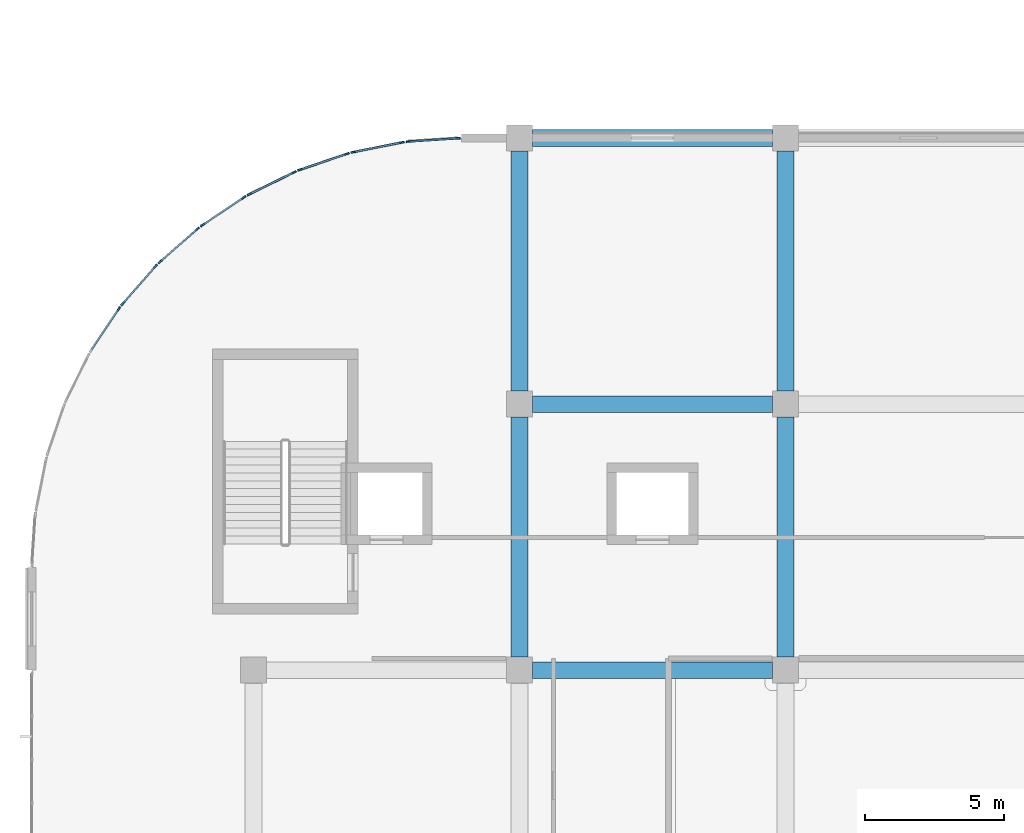
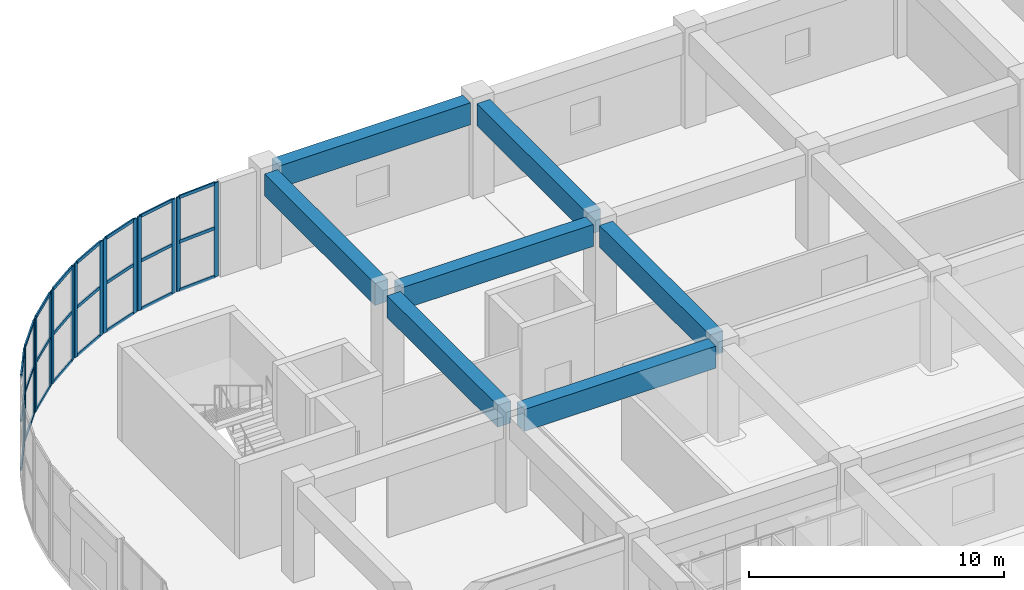
# One storey, part 27 of 86: 39 members, 7 beams, 8 elements without a shape of their own.
"""IFC4 building model written with IfcOpenShell, lengths in metres."""

from ifc_helpers import new_model, si_unit, direction, frame, origin, origin_2d, place, context, subcontext, project, spatial, rectangle, extrude, material, layer, layer_set, material_profile, profile_set, type_object, element, aggregate, save


model = new_model("IFC4")

# Units and contexts
model_context = context("Model", 3, precision=1e-05, world=origin(), true_north=direction((0.0, 1.0)))
body_context = subcontext(model_context, "Body", "Model", "MODEL_VIEW")
ifc_project = project(units=[si_unit("LENGTHUNIT", "METRE"), si_unit("AREAUNIT", "SQUARE_METRE"), si_unit("VOLUMEUNIT", "CUBIC_METRE"), si_unit("PLANEANGLEUNIT", "RADIAN"), si_unit("MASSUNIT", "GRAM", prefix="KILO")], contexts=[model_context])

# Site, building, storey
site_placement = place(None, origin())
site = spatial("IfcSite", under=ifc_project, at=site_placement, CompositionType="ELEMENT")
building_placement = place(site_placement, origin())
building = spatial("IfcBuilding", under=site, at=building_placement, Name="Cendralis Terraced Arcade", CompositionType="ELEMENT")
storey_placement = place(building_placement, frame((0.0, 0.0, 5.39990234375)))
storey = spatial("IfcBuildingStorey", under=building, at=storey_placement, Name="L01", CompositionType="ELEMENT", Elevation=5.39990234375)

# Beams
ifc_material_1 = material(Name="Concrete f'c 35 MPa", Category="concrete")
ifc_material_profile_1 = material_profile(ifc_material_1, rectangle(XDim=0.60009765625, YDim=1.050048828125, at=origin_2d()), Name="RC-BM-600x1050", Category="LoadBearing")
ifc_profile_set_1 = profile_set([ifc_material_profile_1], Name="Concrete f'c 35 MPa")
beam_type = type_object("IfcBeamType", Name="BM-600x1050", PredefinedType="JOIST", material=ifc_profile_set_1)
for number, where, z_axis, x_axis, name in (
    (1, (19.675048828125, 69.60009765625, 3.97998046875), (1.0, 0.0, 0.0), (0.0, 1.0, 0.0), "Reinforced Concrete Frame Beam BM-X-L02-H-3_4"),
    (2, (19.675048828125, 79.199951171875, 3.97998046875), (1.0, 0.0, 0.0), (0.0, 1.0, 0.0), "Reinforced Concrete Frame Beam BM-X-L02-J-3_4"),
    (3, (19.675048828125, 88.800048828125, 3.97998046875), (1.0, 0.0, 0.0), (0.0, 1.0, 0.0), "Reinforced Concrete Frame Beam BM-X-L02-K-3_4"),
):
    element("IfcBeam", number, at=place(storey_placement, frame(where, z_axis=z_axis, x_axis=x_axis)), inside=storey, type_object=beam_type, Name=name, PredefinedType="JOIST", context=body_context, shape_type="SweptSolid", body=[
        extrude(rectangle(XDim=0.60009765625, YDim=1.050048828125, at=origin_2d()), origin(), (0.0, 0.0, 1.0), 8.64990234375),
    ])
beam_1_placement = place(storey_placement, frame((19.199951171875, 70.074951171875, 3.97998046875), z_axis=(0.0, 1.0, 0.0), x_axis=(-1.0, 0.0, 0.0)))
element("IfcBeam", 4, at=beam_1_placement, inside=storey, type_object=beam_type, Name="Reinforced Concrete Frame Beam BM-Y-L02-3-H_J", PredefinedType="JOIST", context=body_context, shape_type="SweptSolid", body=[
    extrude(rectangle(XDim=0.60009765625, YDim=1.050048828125, at=origin_2d()), origin(), (0.0, 0.0, 1.0), 8.650146484375),
])
beam_2_placement = place(storey_placement, frame((19.199951171875, 79.675048828125, 3.97998046875), z_axis=(0.0, 1.0, 0.0), x_axis=(-1.0, 0.0, 0.0)))
element("IfcBeam", 5, at=beam_2_placement, inside=storey, type_object=beam_type, Name="Reinforced Concrete Frame Beam BM-Y-L02-3-J_K", PredefinedType="JOIST", context=body_context, shape_type="SweptSolid", body=[
    extrude(rectangle(XDim=0.60009765625, YDim=1.050048828125, at=origin_2d()), origin(), (0.0, 0.0, 1.0), 8.64990234375),
])
beam_3_placement = place(storey_placement, frame((28.800048828125, 70.074951171875, 3.97998046875), z_axis=(0.0, 1.0, 0.0), x_axis=(-1.0, 0.0, 0.0)))
element("IfcBeam", 6, at=beam_3_placement, inside=storey, type_object=beam_type, Name="Reinforced Concrete Frame Beam BM-Y-L02-4-H_J", PredefinedType="JOIST", context=body_context, shape_type="SweptSolid", body=[
    extrude(rectangle(XDim=0.60009765625, YDim=1.050048828125, at=origin_2d()), origin(), (0.0, 0.0, 1.0), 8.650146484375),
])
beam_4_placement = place(storey_placement, frame((28.800048828125, 79.675048828125, 3.97998046875), z_axis=(0.0, 1.0, 0.0), x_axis=(-1.0, 0.0, 0.0)))
element("IfcBeam", 7, at=beam_4_placement, inside=storey, type_object=beam_type, Name="Reinforced Concrete Frame Beam BM-Y-L02-4-J_K", PredefinedType="JOIST", context=body_context, shape_type="SweptSolid", body=[
    extrude(rectangle(XDim=0.60009765625, YDim=1.050048828125, at=origin_2d()), origin(), (0.0, 0.0, 1.0), 8.64990234375),
])

# Curtain wall, member
ifc_material_2 = material(Name="Anodised aluminium EN AW-6063 T6", Category="aluminium")
ifc_layer = layer(ifc_material_2, 0.179931640625, Name="CW-UNIT-A")
ifc_layer_set = layer_set([ifc_layer], Name="Anodised aluminium EN AW-6063 T6")
curtain_wall_type = type_object("IfcCurtainWallType", Name="CW-UNIT-A", PredefinedType="USERDEFINED", material=ifc_layer_set)
curtain_wall_1_placement = place(storey_placement, origin())
curtain_wall_1 = element("IfcCurtainWall", 8, at=curtain_wall_1_placement, inside=storey, type_object=curtain_wall_type, Name="Exterior Unitised Facade CW-L01-0042", ObjectType="UNITISED FACADE", PredefinedType="USERDEFINED")
ifc_material_profile_2 = material_profile(ifc_material_2, rectangle(XDim=0.06494140625, YDim=0.179931640625, at=origin_2d()), Name="ALU-MUL-65x180")
ifc_profile_set_2 = profile_set([ifc_material_profile_2], Name="Anodised aluminium EN AW-6063 T6")
member_type_1 = type_object("IfcMemberType", Name="CW-UNIT-A-MUL", PredefinedType="MULLION", material=ifc_profile_set_2)
member_1_placement = place(storey_placement, frame((4.73486328125, 82.634033203125, 0.0), z_axis=(0.0, 0.0, 1.0), x_axis=(-0.831483619587, 0.555549269065, 0.0)))
member_1 = element("IfcMember", 9, at=member_1_placement, type_object=member_type_1, Name="CW-U1 mullion 2", PredefinedType="MULLION", context=body_context, shape_type="SweptSolid", body=[
    extrude(rectangle(XDim=0.06494140625, YDim=0.179931640625, at=origin_2d()), origin(), (0.0, 0.0, 1.0), 4.505126953125),
])

# Curtain wall, members
curtain_wall_2_placement = place(storey_placement, origin())
curtain_wall_2 = element("IfcCurtainWall", 10, at=curtain_wall_2_placement, inside=storey, type_object=curtain_wall_type, Name="Exterior Unitised Facade CW-L01-0043", ObjectType="UNITISED FACADE", PredefinedType="USERDEFINED")
member_2_placement = place(storey_placement, frame((4.8837890625, 82.827880859375, 0.0), z_axis=(0.0, 0.0, 1.0), x_axis=(-0.751818424075, 0.659370197402, 0.0)))
member_2 = element("IfcMember", 11, at=member_2_placement, type_object=member_type_1, Name="CW-U1 mullion 1", PredefinedType="MULLION", context=body_context, shape_type="SweptSolid", body=[
    extrude(rectangle(XDim=0.06494140625, YDim=0.179931640625, at=origin_2d()), origin(), (0.0, 0.0, 1.0), 4.505126953125),
])
member_3_placement = place(storey_placement, frame((6.05908203125, 84.16796875, 0.0), z_axis=(0.0, 0.0, 1.0), x_axis=(-0.751818424075, 0.659370197402, 0.0)))
member_3 = element("IfcMember", 12, at=member_3_placement, type_object=member_type_1, Name="CW-U1 mullion 2", PredefinedType="MULLION", context=body_context, shape_type="SweptSolid", body=[
    extrude(rectangle(XDim=0.06494140625, YDim=0.179931640625, at=origin_2d()), origin(), (0.0, 0.0, 1.0), 4.505126953125),
])

curtain_wall_3_placement = place(storey_placement, origin())
curtain_wall_3 = element("IfcCurtainWall", 13, at=curtain_wall_3_placement, inside=storey, type_object=curtain_wall_type, Name="Exterior Unitised Facade CW-L01-0044", ObjectType="UNITISED FACADE", PredefinedType="USERDEFINED")
member_4_placement = place(storey_placement, frame((6.23193359375, 84.3408203125, 0.0), z_axis=(0.0, 0.0, 1.0), x_axis=(-0.659370197402, 0.751818424075, 0.0)))
member_4 = element("IfcMember", 14, at=member_4_placement, type_object=member_type_1, Name="CW-U1 mullion 1", PredefinedType="MULLION", context=body_context, shape_type="SweptSolid", body=[
    extrude(rectangle(XDim=0.06494140625, YDim=0.179931640625, at=origin_2d()), origin(), (0.0, 0.0, 1.0), 4.505126953125),
])
member_5_placement = place(storey_placement, frame((7.572021484375, 85.516357421875, 0.0), z_axis=(0.0, 0.0, 1.0), x_axis=(-0.659370197402, 0.751818424075, 0.0)))
member_5 = element("IfcMember", 15, at=member_5_placement, type_object=member_type_1, Name="CW-U1 mullion 2", PredefinedType="MULLION", context=body_context, shape_type="SweptSolid", body=[
    extrude(rectangle(XDim=0.06494140625, YDim=0.179931640625, at=origin_2d()), origin(), (0.0, 0.0, 1.0), 4.505126953125),
])

curtain_wall_4_placement = place(storey_placement, origin())
curtain_wall_4 = element("IfcCurtainWall", 16, at=curtain_wall_4_placement, inside=storey, type_object=curtain_wall_type, Name="Exterior Unitised Facade CW-L01-0045", ObjectType="UNITISED FACADE", PredefinedType="USERDEFINED")
member_6_placement = place(storey_placement, frame((7.76611328125, 85.6650390625, 0.0), z_axis=(0.0, 0.0, 1.0), x_axis=(-0.555549269065, 0.831483619587, 0.0)))
member_6 = element("IfcMember", 17, at=member_6_placement, type_object=member_type_1, Name="CW-U1 mullion 1", PredefinedType="MULLION", context=body_context, shape_type="SweptSolid", body=[
    extrude(rectangle(XDim=0.06494140625, YDim=0.179931640625, at=origin_2d()), origin(), (0.0, 0.0, 1.0), 4.505126953125),
])
member_7_placement = place(storey_placement, frame((9.248291015625, 86.6552734375, 0.0), z_axis=(0.0, 0.0, 1.0), x_axis=(-0.555549269065, 0.831483619587, 0.0)))
member_7 = element("IfcMember", 18, at=member_7_placement, type_object=member_type_1, Name="CW-U1 mullion 2", PredefinedType="MULLION", context=body_context, shape_type="SweptSolid", body=[
    extrude(rectangle(XDim=0.06494140625, YDim=0.179931640625, at=origin_2d()), origin(), (0.0, 0.0, 1.0), 4.505126953125),
])

curtain_wall_5_placement = place(storey_placement, origin())
curtain_wall_5 = element("IfcCurtainWall", 19, at=curtain_wall_5_placement, inside=storey, type_object=curtain_wall_type, Name="Exterior Unitised Facade CW-L01-0046", ObjectType="UNITISED FACADE", PredefinedType="USERDEFINED")
member_8_placement = place(storey_placement, frame((9.4599609375, 86.777587890625, 0.0), z_axis=(0.0, 0.0, 1.0), x_axis=(-0.442270416572, 0.896881752867, 0.0)))
member_8 = element("IfcMember", 20, at=member_8_placement, type_object=member_type_1, Name="CW-U1 mullion 1", PredefinedType="MULLION", context=body_context, shape_type="SweptSolid", body=[
    extrude(rectangle(XDim=0.06494140625, YDim=0.179931640625, at=origin_2d()), origin(), (0.0, 0.0, 1.0), 4.505126953125),
])
member_9_placement = place(storey_placement, frame((11.05859375, 87.56591796875, 0.0), z_axis=(0.0, 0.0, 1.0), x_axis=(-0.442270416572, 0.896881752867, 0.0)))
member_9 = element("IfcMember", 21, at=member_9_placement, type_object=member_type_1, Name="CW-U1 mullion 2", PredefinedType="MULLION", context=body_context, shape_type="SweptSolid", body=[
    extrude(rectangle(XDim=0.06494140625, YDim=0.179931640625, at=origin_2d()), origin(), (0.0, 0.0, 1.0), 4.505126953125),
])

curtain_wall_6_placement = place(storey_placement, origin())
curtain_wall_6 = element("IfcCurtainWall", 22, at=curtain_wall_6_placement, inside=storey, type_object=curtain_wall_type, Name="Exterior Unitised Facade CW-L01-0047", ObjectType="UNITISED FACADE", PredefinedType="USERDEFINED")
member_10_placement = place(storey_placement, frame((11.284423828125, 87.659423828125, 0.0), z_axis=(0.0, 0.0, 1.0), x_axis=(-0.32150002033, 0.946909571674, 0.0)))
member_10 = element("IfcMember", 23, at=member_10_placement, type_object=member_type_1, Name="CW-U1 mullion 1", PredefinedType="MULLION", context=body_context, shape_type="SweptSolid", body=[
    extrude(rectangle(XDim=0.06494140625, YDim=0.179931640625, at=origin_2d()), origin(), (0.0, 0.0, 1.0), 4.505126953125),
])
member_11_placement = place(storey_placement, frame((12.972412109375, 88.232666015625, 0.0), z_axis=(0.0, 0.0, 1.0), x_axis=(-0.32150002033, 0.946909571674, 0.0)))
member_11 = element("IfcMember", 24, at=member_11_placement, type_object=member_type_1, Name="CW-U1 mullion 2", PredefinedType="MULLION", context=body_context, shape_type="SweptSolid", body=[
    extrude(rectangle(XDim=0.06494140625, YDim=0.179931640625, at=origin_2d()), origin(), (0.0, 0.0, 1.0), 4.505126953125),
])

curtain_wall_7_placement = place(storey_placement, origin())
curtain_wall_7 = element("IfcCurtainWall", 25, at=curtain_wall_7_placement, inside=storey, type_object=curtain_wall_type, Name="Exterior Unitised Facade CW-L01-0048", ObjectType="UNITISED FACADE", PredefinedType="USERDEFINED")
member_12_placement = place(storey_placement, frame((13.20849609375, 88.2958984375, 0.0), z_axis=(0.0, 0.0, 1.0), x_axis=(-0.195033398913, 0.980796601395, 0.0)))
member_12 = element("IfcMember", 26, at=member_12_placement, type_object=member_type_1, Name="CW-U1 mullion 1", PredefinedType="MULLION", context=body_context, shape_type="SweptSolid", body=[
    extrude(rectangle(XDim=0.06494140625, YDim=0.179931640625, at=origin_2d()), origin(), (0.0, 0.0, 1.0), 4.505126953125),
])
member_13_placement = place(storey_placement, frame((14.95654296875, 88.6435546875, 0.0), z_axis=(0.0, 0.0, 1.0), x_axis=(-0.195033398913, 0.980796601395, 0.0)))
member_13 = element("IfcMember", 27, at=member_13_placement, type_object=member_type_1, Name="CW-U1 mullion 2", PredefinedType="MULLION", context=body_context, shape_type="SweptSolid", body=[
    extrude(rectangle(XDim=0.06494140625, YDim=0.179931640625, at=origin_2d()), origin(), (0.0, 0.0, 1.0), 4.505126953125),
])

curtain_wall_8_placement = place(storey_placement, origin())
curtain_wall_8 = element("IfcCurtainWall", 28, at=curtain_wall_8_placement, inside=storey, type_object=curtain_wall_type, Name="Exterior Unitised Facade CW-L01-0049", ObjectType="UNITISED FACADE", PredefinedType="USERDEFINED")
member_14_placement = place(storey_placement, frame((15.198974609375, 88.675537109375, 0.0), z_axis=(0.0, 0.0, 1.0), x_axis=(-0.065383766124, 0.997860192175, 0.0)))
member_14 = element("IfcMember", 29, at=member_14_placement, type_object=member_type_1, Name="CW-U1 mullion 1", PredefinedType="MULLION", context=body_context, shape_type="SweptSolid", body=[
    extrude(rectangle(XDim=0.06494140625, YDim=0.179931640625, at=origin_2d()), origin(), (0.0, 0.0, 1.0), 4.505126953125),
])
member_15_placement = place(storey_placement, frame((16.977783203125, 88.7919921875, 0.0), z_axis=(0.0, 0.0, 1.0), x_axis=(-0.065383766124, 0.997860192175, 0.0)))
member_15 = element("IfcMember", 30, at=member_15_placement, type_object=member_type_1, Name="CW-U1 mullion 2", PredefinedType="MULLION", context=body_context, shape_type="SweptSolid", body=[
    extrude(rectangle(XDim=0.06494140625, YDim=0.179931640625, at=origin_2d()), origin(), (0.0, 0.0, 1.0), 4.505126953125),
])

# Member
ifc_material_profile_3 = material_profile(ifc_material_2, rectangle(XDim=0.06494140625, YDim=0.14990234375, at=origin_2d()), Name="ALU-TRN-65x150")
ifc_profile_set_3 = profile_set([ifc_material_profile_3], Name="Anodised aluminium EN AW-6063 T6")
member_type_2 = type_object("IfcMemberType", Name="CW-UNIT-A-TRN", PredefinedType="USERDEFINED", material=ifc_profile_set_3)
member_16_placement = place(storey_placement, frame((3.7626953125, 81.178955078125, 0.03271484375), z_axis=(0.555552851829, 0.83148122578, 0.0), x_axis=(-0.83148122578, 0.555552851829, 0.0)))
member_16 = element("IfcMember", 31, at=member_16_placement, type_object=member_type_2, Name="CW-U1 transom 1.1", ObjectType="TRANSOM", PredefinedType="USERDEFINED", context=body_context, shape_type="SweptSolid", body=[
    extrude(rectangle(XDim=0.06494140625, YDim=0.14990234375, at=origin_2d()), origin(), (0.0, 0.0, 1.0), 1.71728515625),
])

member_17_placement = place(storey_placement, frame((3.7626953125, 81.178955078125, 2.3427734375), z_axis=(0.555552851829, 0.83148122578, 0.0), x_axis=(-0.83148122578, 0.555552851829, 0.0)))
member_17 = element("IfcMember", 32, at=member_17_placement, type_object=member_type_2, Name="CW-U1 transom 1.2", ObjectType="TRANSOM", PredefinedType="USERDEFINED", context=body_context, shape_type="SweptSolid", body=[
    extrude(rectangle(XDim=0.06494140625, YDim=0.14990234375, at=origin_2d()), origin(), (0.0, 0.0, 1.0), 1.71728515625),
])

member_18_placement = place(storey_placement, frame((3.7626953125, 81.178955078125, 4.47265625), z_axis=(0.555552851829, 0.83148122578, 0.0), x_axis=(-0.83148122578, 0.555552851829, 0.0)))
member_18 = element("IfcMember", 33, at=member_18_placement, type_object=member_type_2, Name="CW-U1 transom 1.3", ObjectType="TRANSOM", PredefinedType="USERDEFINED", context=body_context, shape_type="SweptSolid", body=[
    extrude(rectangle(XDim=0.06494140625, YDim=0.14990234375, at=origin_2d()), origin(), (0.0, 0.0, 1.0), 1.71728515625),
])

aggregate(curtain_wall_1, [member_1, member_16, member_17, member_18])

member_19_placement = place(storey_placement, frame((4.9052734375, 82.852294921875, 0.03271484375), z_axis=(0.659319416877, 0.751862957279, 0.0), x_axis=(-0.751862957279, 0.659319416877, 0.0)))
member_19 = element("IfcMember", 34, at=member_19_placement, type_object=member_type_2, Name="CW-U1 transom 1.1", ObjectType="TRANSOM", PredefinedType="USERDEFINED", context=body_context, shape_type="SweptSolid", body=[
    extrude(rectangle(XDim=0.06494140625, YDim=0.14990234375, at=origin_2d()), origin(), (0.0, 0.0, 1.0), 1.717529296875),
])

member_20_placement = place(storey_placement, frame((4.9052734375, 82.852294921875, 2.3427734375), z_axis=(0.659319416877, 0.751862957279, 0.0), x_axis=(-0.751862957279, 0.659319416877, 0.0)))
member_20 = element("IfcMember", 35, at=member_20_placement, type_object=member_type_2, Name="CW-U1 transom 1.2", ObjectType="TRANSOM", PredefinedType="USERDEFINED", context=body_context, shape_type="SweptSolid", body=[
    extrude(rectangle(XDim=0.06494140625, YDim=0.14990234375, at=origin_2d()), origin(), (0.0, 0.0, 1.0), 1.717529296875),
])

member_21_placement = place(storey_placement, frame((4.9052734375, 82.852294921875, 4.47265625), z_axis=(0.659319416877, 0.751862957279, 0.0), x_axis=(-0.751862957279, 0.659319416877, 0.0)))
member_21 = element("IfcMember", 36, at=member_21_placement, type_object=member_type_2, Name="CW-U1 transom 1.3", ObjectType="TRANSOM", PredefinedType="USERDEFINED", context=body_context, shape_type="SweptSolid", body=[
    extrude(rectangle(XDim=0.06494140625, YDim=0.14990234375, at=origin_2d()), origin(), (0.0, 0.0, 1.0), 1.717529296875),
])

aggregate(curtain_wall_2, [member_2, member_3, member_19, member_20, member_21])

member_22_placement = place(storey_placement, frame((6.25634765625, 84.3623046875, 0.03271484375), z_axis=(0.751792490336, 0.659399766056, 0.0), x_axis=(-0.659399766056, 0.751792490336, 0.0)))
member_22 = element("IfcMember", 37, at=member_22_placement, type_object=member_type_2, Name="CW-U1 transom 1.1", ObjectType="TRANSOM", PredefinedType="USERDEFINED", context=body_context, shape_type="SweptSolid", body=[
    extrude(rectangle(XDim=0.06494140625, YDim=0.14990234375, at=origin_2d()), origin(), (0.0, 0.0, 1.0), 1.717529296875),
])

member_23_placement = place(storey_placement, frame((6.25634765625, 84.3623046875, 2.3427734375), z_axis=(0.751792490336, 0.659399766056, 0.0), x_axis=(-0.659399766056, 0.751792490336, 0.0)))
member_23 = element("IfcMember", 38, at=member_23_placement, type_object=member_type_2, Name="CW-U1 transom 1.2", ObjectType="TRANSOM", PredefinedType="USERDEFINED", context=body_context, shape_type="SweptSolid", body=[
    extrude(rectangle(XDim=0.06494140625, YDim=0.14990234375, at=origin_2d()), origin(), (0.0, 0.0, 1.0), 1.717529296875),
])

member_24_placement = place(storey_placement, frame((6.25634765625, 84.3623046875, 4.47265625), z_axis=(0.751792490336, 0.659399766056, 0.0), x_axis=(-0.659399766056, 0.751792490336, 0.0)))
member_24 = element("IfcMember", 39, at=member_24_placement, type_object=member_type_2, Name="CW-U1 transom 1.3", ObjectType="TRANSOM", PredefinedType="USERDEFINED", context=body_context, shape_type="SweptSolid", body=[
    extrude(rectangle(XDim=0.06494140625, YDim=0.14990234375, at=origin_2d()), origin(), (0.0, 0.0, 1.0), 1.717529296875),
])

aggregate(curtain_wall_3, [member_4, member_5, member_22, member_23, member_24])

member_25_placement = place(storey_placement, frame((7.79296875, 85.68310546875, 0.03271484375), z_axis=(0.831525093452, 0.555487190635, 0.0), x_axis=(-0.555487190635, 0.831525093452, 0.0)))
member_25 = element("IfcMember", 40, at=member_25_placement, type_object=member_type_2, Name="CW-U1 transom 1.1", ObjectType="TRANSOM", PredefinedType="USERDEFINED", context=body_context, shape_type="SweptSolid", body=[
    extrude(rectangle(XDim=0.06494140625, YDim=0.14990234375, at=origin_2d()), origin(), (0.0, 0.0, 1.0), 1.717529296875),
])

member_26_placement = place(storey_placement, frame((7.79296875, 85.68310546875, 2.3427734375), z_axis=(0.831525093452, 0.555487190635, 0.0), x_axis=(-0.555487190635, 0.831525093452, 0.0)))
member_26 = element("IfcMember", 41, at=member_26_placement, type_object=member_type_2, Name="CW-U1 transom 1.2", ObjectType="TRANSOM", PredefinedType="USERDEFINED", context=body_context, shape_type="SweptSolid", body=[
    extrude(rectangle(XDim=0.06494140625, YDim=0.14990234375, at=origin_2d()), origin(), (0.0, 0.0, 1.0), 1.717529296875),
])

member_27_placement = place(storey_placement, frame((7.79296875, 85.68310546875, 4.47265625), z_axis=(0.831525093452, 0.555487190635, 0.0), x_axis=(-0.555487190635, 0.831525093452, 0.0)))
member_27 = element("IfcMember", 42, at=member_27_placement, type_object=member_type_2, Name="CW-U1 transom 1.3", ObjectType="TRANSOM", PredefinedType="USERDEFINED", context=body_context, shape_type="SweptSolid", body=[
    extrude(rectangle(XDim=0.06494140625, YDim=0.14990234375, at=origin_2d()), origin(), (0.0, 0.0, 1.0), 1.717529296875),
])

aggregate(curtain_wall_4, [member_6, member_7, member_25, member_26, member_27])

member_28_placement = place(storey_placement, frame((9.489013671875, 86.7919921875, 0.03271484375), z_axis=(0.896887092302, 0.442259588548, 0.0), x_axis=(-0.442259588548, 0.896887092302, 0.0)))
member_28 = element("IfcMember", 43, at=member_28_placement, type_object=member_type_2, Name="CW-U1 transom 1.1", ObjectType="TRANSOM", PredefinedType="USERDEFINED", context=body_context, shape_type="SweptSolid", body=[
    extrude(rectangle(XDim=0.06494140625, YDim=0.14990234375, at=origin_2d()), origin(), (0.0, 0.0, 1.0), 1.71728515625),
])

member_29_placement = place(storey_placement, frame((9.489013671875, 86.7919921875, 2.3427734375), z_axis=(0.896887092302, 0.442259588548, 0.0), x_axis=(-0.442259588548, 0.896887092302, 0.0)))
member_29 = element("IfcMember", 44, at=member_29_placement, type_object=member_type_2, Name="CW-U1 transom 1.2", ObjectType="TRANSOM", PredefinedType="USERDEFINED", context=body_context, shape_type="SweptSolid", body=[
    extrude(rectangle(XDim=0.06494140625, YDim=0.14990234375, at=origin_2d()), origin(), (0.0, 0.0, 1.0), 1.71728515625),
])

member_30_placement = place(storey_placement, frame((9.489013671875, 86.7919921875, 4.47265625), z_axis=(0.896887092302, 0.442259588548, 0.0), x_axis=(-0.442259588548, 0.896887092302, 0.0)))
member_30 = element("IfcMember", 45, at=member_30_placement, type_object=member_type_2, Name="CW-U1 transom 1.3", ObjectType="TRANSOM", PredefinedType="USERDEFINED", context=body_context, shape_type="SweptSolid", body=[
    extrude(rectangle(XDim=0.06494140625, YDim=0.14990234375, at=origin_2d()), origin(), (0.0, 0.0, 1.0), 1.71728515625),
])

aggregate(curtain_wall_5, [member_8, member_9, member_28, member_29, member_30])

member_31_placement = place(storey_placement, frame((11.315185546875, 87.669921875, 0.03271484375), z_axis=(0.946906084256, 0.321510291592, 0.0), x_axis=(-0.321510291592, 0.946906084256, 0.0)))
member_31 = element("IfcMember", 46, at=member_31_placement, type_object=member_type_2, Name="CW-U1 transom 1.1", ObjectType="TRANSOM", PredefinedType="USERDEFINED", context=body_context, shape_type="SweptSolid", body=[
    extrude(rectangle(XDim=0.06494140625, YDim=0.14990234375, at=origin_2d()), origin(), (0.0, 0.0, 1.0), 1.7177734375),
])

member_32_placement = place(storey_placement, frame((11.315185546875, 87.669921875, 2.3427734375), z_axis=(0.946906084256, 0.321510291592, 0.0), x_axis=(-0.321510291592, 0.946906084256, 0.0)))
member_32 = element("IfcMember", 47, at=member_32_placement, type_object=member_type_2, Name="CW-U1 transom 1.2", ObjectType="TRANSOM", PredefinedType="USERDEFINED", context=body_context, shape_type="SweptSolid", body=[
    extrude(rectangle(XDim=0.06494140625, YDim=0.14990234375, at=origin_2d()), origin(), (0.0, 0.0, 1.0), 1.7177734375),
])

member_33_placement = place(storey_placement, frame((11.315185546875, 87.669921875, 4.47265625), z_axis=(0.946906084256, 0.321510291592, 0.0), x_axis=(-0.321510291592, 0.946906084256, 0.0)))
member_33 = element("IfcMember", 48, at=member_33_placement, type_object=member_type_2, Name="CW-U1 transom 1.3", ObjectType="TRANSOM", PredefinedType="USERDEFINED", context=body_context, shape_type="SweptSolid", body=[
    extrude(rectangle(XDim=0.06494140625, YDim=0.14990234375, at=origin_2d()), origin(), (0.0, 0.0, 1.0), 1.7177734375),
])

aggregate(curtain_wall_6, [member_10, member_11, member_31, member_32, member_33])

member_34_placement = place(storey_placement, frame((13.240234375, 88.30224609375, 0.03271484375), z_axis=(0.980798750293, 0.195022592087, 0.0), x_axis=(-0.195022592087, 0.980798750293, 0.0)))
member_34 = element("IfcMember", 49, at=member_34_placement, type_object=member_type_2, Name="CW-U1 transom 1.1", ObjectType="TRANSOM", PredefinedType="USERDEFINED", context=body_context, shape_type="SweptSolid", body=[
    extrude(rectangle(XDim=0.06494140625, YDim=0.14990234375, at=origin_2d()), origin(), (0.0, 0.0, 1.0), 1.717529296875),
])

member_35_placement = place(storey_placement, frame((13.240234375, 88.30224609375, 2.3427734375), z_axis=(0.980798750293, 0.195022592087, 0.0), x_axis=(-0.195022592087, 0.980798750293, 0.0)))
member_35 = element("IfcMember", 50, at=member_35_placement, type_object=member_type_2, Name="CW-U1 transom 1.2", ObjectType="TRANSOM", PredefinedType="USERDEFINED", context=body_context, shape_type="SweptSolid", body=[
    extrude(rectangle(XDim=0.06494140625, YDim=0.14990234375, at=origin_2d()), origin(), (0.0, 0.0, 1.0), 1.717529296875),
])

member_36_placement = place(storey_placement, frame((13.240234375, 88.30224609375, 4.47265625), z_axis=(0.980798750293, 0.195022592087, 0.0), x_axis=(-0.195022592087, 0.980798750293, 0.0)))
member_36 = element("IfcMember", 51, at=member_36_placement, type_object=member_type_2, Name="CW-U1 transom 1.3", ObjectType="TRANSOM", PredefinedType="USERDEFINED", context=body_context, shape_type="SweptSolid", body=[
    extrude(rectangle(XDim=0.06494140625, YDim=0.14990234375, at=origin_2d()), origin(), (0.0, 0.0, 1.0), 1.717529296875),
])

aggregate(curtain_wall_7, [member_12, member_13, member_34, member_35, member_36])

member_37_placement = place(storey_placement, frame((15.2314453125, 88.677490234375, 0.03271484375), z_axis=(0.997859990953, 0.065386837014, 0.0), x_axis=(-0.065386837014, 0.997859990953, 0.0)))
member_37 = element("IfcMember", 52, at=member_37_placement, type_object=member_type_2, Name="CW-U1 transom 1.1", ObjectType="TRANSOM", PredefinedType="USERDEFINED", context=body_context, shape_type="SweptSolid", body=[
    extrude(rectangle(XDim=0.06494140625, YDim=0.14990234375, at=origin_2d()), origin(), (0.0, 0.0, 1.0), 1.717529296875),
])

member_38_placement = place(storey_placement, frame((15.2314453125, 88.677490234375, 2.3427734375), z_axis=(0.997859990953, 0.065386837014, 0.0), x_axis=(-0.065386837014, 0.997859990953, 0.0)))
member_38 = element("IfcMember", 53, at=member_38_placement, type_object=member_type_2, Name="CW-U1 transom 1.2", ObjectType="TRANSOM", PredefinedType="USERDEFINED", context=body_context, shape_type="SweptSolid", body=[
    extrude(rectangle(XDim=0.06494140625, YDim=0.14990234375, at=origin_2d()), origin(), (0.0, 0.0, 1.0), 1.717529296875),
])

member_39_placement = place(storey_placement, frame((15.2314453125, 88.677490234375, 4.47265625), z_axis=(0.997859990953, 0.065386837014, 0.0), x_axis=(-0.065386837014, 0.997859990953, 0.0)))
member_39 = element("IfcMember", 54, at=member_39_placement, type_object=member_type_2, Name="CW-U1 transom 1.3", ObjectType="TRANSOM", PredefinedType="USERDEFINED", context=body_context, shape_type="SweptSolid", body=[
    extrude(rectangle(XDim=0.06494140625, YDim=0.14990234375, at=origin_2d()), origin(), (0.0, 0.0, 1.0), 1.717529296875),
])

aggregate(curtain_wall_8, [member_14, member_15, member_37, member_38, member_39])

save(model, "model.ifc")
